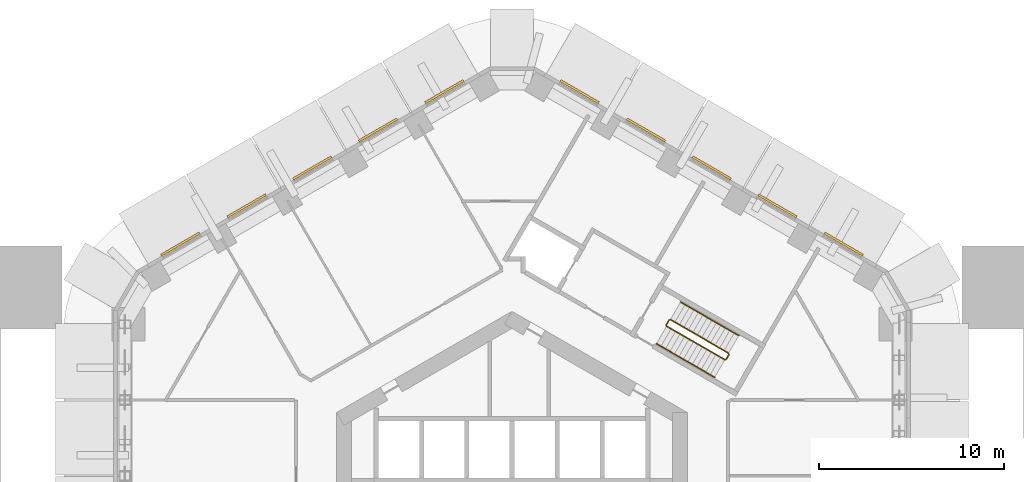
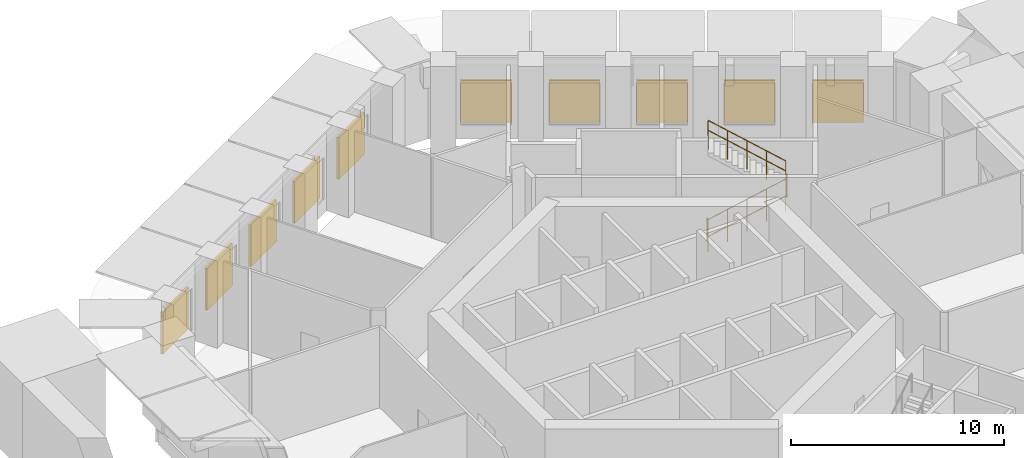
# One storey, part 10 of 10: 10 shading devices, 8 railings.
"""IFC4 building model written with IfcOpenShell, lengths in metres."""

import ifcopenshell
import ifcopenshell.guid

model = None  # the IFC model being written
_history = None  # IfcOwnerHistory: only IFC2X3 demands one
_inside = {}  # id of a spatial element -> (the spatial element, [elements in it])
_under = {}  # id of a project, library or spatial element -> (it, [spatial elements below it])
_declared = {}  # id of a project -> (the project, [libraries it declares])
_typed = {}  # id of a type object -> (the type object, [elements of that type])
_made_of = {}  # id of a material, layer set ... -> (it, [elements and type objects made of it])


def new_model(schema):
    """Start an empty IFC model of exactly this schema.

    Asked for "IFC4X3", IfcOpenShell would pick the latest addendum, in which some entities
    have other attributes; the version numbers below select the first issue.
    IFC2X3 requires an IfcOwnerHistory on every rooted entity: one is made here for all.
    """
    global model, _history
    if schema == "IFC4X3":
        model = ifcopenshell.file(schema_version=(4, 3, 0, 0))
    else:
        model = ifcopenshell.file(schema=schema)
    _inside.clear()
    _under.clear()
    _declared.clear()
    _typed.clear()
    _made_of.clear()
    _history = None
    if model.schema == "IFC2X3":
        org = make("IfcOrganization", Name="unknown")
        user = make(
            "IfcPersonAndOrganization",
            ThePerson=make("IfcPerson", FamilyName="unknown"),
            TheOrganization=org,
        )
        app = make(
            "IfcApplication",
            ApplicationDeveloper=org,
            Version="unknown",
            ApplicationFullName="unknown",
            ApplicationIdentifier="unknown",
        )
        _history = make(
            "IfcOwnerHistory",
            OwningUser=user,
            OwningApplication=app,
            ChangeAction="ADDED",
            CreationDate=0,
        )
    return model


def make(cls, **values):
    """One entity of the class cls with the attributes given. An attribute that is None is left unset."""
    return model.create_entity(
        cls, **{name: value for name, value in values.items() if value is not None}
    )


def rooted(cls, **values):
    """An entity with a GlobalId (a new one), such as an element, a storey or a relation."""
    return make(cls, GlobalId=ifcopenshell.guid.new(), OwnerHistory=_history, **values)


def si_unit(unit_type, name, prefix=None):
    """IfcSIUnit, for example si_unit("LENGTHUNIT", "METRE", prefix="MILLI")."""
    return make("IfcSIUnit", UnitType=unit_type, Prefix=prefix, Name=name)


def assignment(units):
    """IfcUnitAssignment: the units of a project."""
    return None if units is None else make("IfcUnitAssignment", Units=units)


def point(xyz):
    """IfcCartesianPoint."""
    return None if xyz is None else make("IfcCartesianPoint", Coordinates=xyz)


def direction(xyz):
    """IfcDirection."""
    return None if xyz is None else make("IfcDirection", DirectionRatios=xyz)


def frame(location, z_axis=None, x_axis=None):
    """IfcAxis2Placement3D, a coordinate frame: its origin and axes. An axis left out is left unset."""
    return make(
        "IfcAxis2Placement3D",
        Location=point(location),
        Axis=direction(z_axis),
        RefDirection=direction(x_axis),
    )


def frame_2d(location, x_axis=None):
    """IfcAxis2Placement2D, a coordinate frame in the plane: its origin and x axis."""
    return make(
        "IfcAxis2Placement2D", Location=point(location), RefDirection=direction(x_axis)
    )


def origin():
    """The frame at (0, 0, 0) with its axes left unset."""
    return frame((0.0, 0.0, 0.0))


def origin_2d():
    """The frame at (0, 0) in the plane with its x axis left unset."""
    return frame_2d((0.0, 0.0))


def place(relative_to, where):
    """IfcLocalPlacement: puts the frame where relative to a parent placement (None: the world)."""
    return make(
        "IfcLocalPlacement", PlacementRelTo=relative_to, RelativePlacement=where
    )


def context(
    kind, dimensions, precision=None, world=None, true_north=None, identifier=None
):
    """IfcGeometricRepresentationContext, for example the 3D "Model" context."""
    return make(
        "IfcGeometricRepresentationContext",
        ContextIdentifier=identifier,
        ContextType=kind,
        CoordinateSpaceDimension=dimensions,
        Precision=precision,
        WorldCoordinateSystem=world,
        TrueNorth=true_north,
    )


def subcontext(parent, identifier, kind, view, scale=None):
    """IfcGeometricRepresentationSubContext, for example "Body" below "Model"."""
    return make(
        "IfcGeometricRepresentationSubContext",
        ContextIdentifier=identifier,
        ContextType=kind,
        ParentContext=parent,
        TargetScale=scale,
        TargetView=view,
    )


def project(units=None, contexts=None):
    """IfcProject with its units and contexts."""
    return rooted(
        "IfcProject",
        Name="project",
        RepresentationContexts=contexts,
        UnitsInContext=assignment(units),
    )


def spatial(cls, under=None, at=None, **own):
    """A site, building, storey or space (cls), placed at a placement, below another one or the project."""
    s = rooted(cls, ObjectPlacement=at, **own)
    if under is not None:
        _under.setdefault(under.id(), (under, []))[1].append(s)
    return s


def profile(cls, at=None, kind="AREA", **sizes):
    """A parametric profile (cls). Its sizes go by their IFC names, for example OverallWidth=200.0."""
    return make(cls, ProfileType=kind, Position=at, **sizes)


def rectangle(**sizes):
    """IfcRectangleProfileDef."""
    return profile("IfcRectangleProfileDef", **sizes)


def circle(**sizes):
    """IfcCircleProfileDef."""
    return profile("IfcCircleProfileDef", **sizes)


def extrude(swept, where, along, depth):
    """IfcExtrudedAreaSolid: the profile swept, set in the frame where, extruded along a direction by depth."""
    return make(
        "IfcExtrudedAreaSolid",
        SweptArea=swept,
        Position=where,
        ExtrudedDirection=direction(along),
        Depth=depth,
    )


def shape(context_of_items, identifier, shape_type, items):
    """IfcShapeRepresentation: the items that make up one representation, for example the "Body"."""
    return make(
        "IfcShapeRepresentation",
        ContextOfItems=context_of_items,
        RepresentationIdentifier=identifier,
        RepresentationType=shape_type,
        Items=items,
    )


def material(Name=None, Category=None):
    """IfcMaterial."""
    return make("IfcMaterial", Name=Name, Category=Category)


def layer(
    of_material, thickness, ventilated=None, Name=None, Category=None, Priority=None
):
    """IfcMaterialLayer: one layer of a wall or slab, of a material (None: an air gap)."""
    return make(
        "IfcMaterialLayer",
        Material=of_material,
        LayerThickness=thickness,
        IsVentilated=ventilated,
        Name=Name,
        Category=Category,
        Priority=Priority,
    )


def layer_set(layers, Name=None):
    """IfcMaterialLayerSet."""
    return make("IfcMaterialLayerSet", MaterialLayers=layers, LayerSetName=Name)


def made_of(thing, what):
    """Note that an element or type object is made of a material, layer set ...; save() writes the relation."""
    if what is not None:
        _made_of.setdefault(what.id(), (what, []))[1].append(thing)
    return thing


def type_object(cls, material=None, **own):
    """A type object (cls), such as IfcWallType, which elements share."""
    return made_of(rooted(cls, **own), material)


def element(
    cls,
    number,
    at=None,
    inside=None,
    cuts=None,
    type_object=None,
    material=None,
    context=None,
    identifier="Body",
    shape_type=None,
    held_by="IfcProductDefinitionShape",
    body=None,
    shapes=None,
    **own,
):
    """One element of the class cls, such as IfcWall. Its Tag is "e" and its number.

    at: its placement. inside: the storey or other place that contains it. cuts: it is an
    opening in that element (IfcRelVoidsElement). A single representation is given by context,
    identifier, shape_type and body (its items); several are given by shapes. held_by: the class
    of the entity that holds the representations. save() writes the other relations.
    """
    e = rooted(cls, Tag="e%d" % number, ObjectPlacement=at, **own)
    if body is not None:
        shapes = [shape(context, identifier, shape_type, body)]
    if shapes is not None:
        e.Representation = make(held_by, Representations=shapes)
    if inside is not None:
        _inside.setdefault(inside.id(), (inside, []))[1].append(e)
    if cuts is not None:
        rooted(
            "IfcRelVoidsElement", RelatingBuildingElement=cuts, RelatedOpeningElement=e
        )
    if type_object is not None:
        _typed.setdefault(type_object.id(), (type_object, []))[1].append(e)
    return made_of(e, material)


def aggregate(whole, parts):
    """IfcRelAggregates: a whole, such as a stair, and the parts it consists of."""
    return rooted("IfcRelAggregates", RelatingObject=whole, RelatedObjects=parts)


def save(model, path):
    """Write the relations noted so far, then the file.

    IfcRelAggregates (storeys below a building ...), IfcRelContainedInSpatialStructure (elements
    in a storey), IfcRelDefinesByType, IfcRelAssociatesMaterial and IfcRelDeclares: one each for
    every whole, place, type object, material and project.
    """
    for whole, parts in _under.values():
        aggregate(whole, parts)
    for where, things in _inside.values():
        rooted(
            "IfcRelContainedInSpatialStructure",
            RelatedElements=things,
            RelatingStructure=where,
        )
    for kind, things in _typed.values():
        rooted("IfcRelDefinesByType", RelatedObjects=things, RelatingType=kind)
    for what, things in _made_of.values():
        rooted("IfcRelAssociatesMaterial", RelatedObjects=things, RelatingMaterial=what)
    for by, libraries in _declared.values():
        rooted("IfcRelDeclares", RelatingContext=by, RelatedDefinitions=libraries)
    model.write(path)


model = new_model("IFC4")

# Units and contexts
model_context = context("Model", 3, precision=1e-05, world=origin(), true_north=direction((0.0, 1.0)))
body_context = subcontext(model_context, "Body", "Model", "MODEL_VIEW")
ifc_project = project(units=[si_unit("LENGTHUNIT", "METRE"), si_unit("AREAUNIT", "SQUARE_METRE"), si_unit("VOLUMEUNIT", "CUBIC_METRE"), si_unit("PLANEANGLEUNIT", "RADIAN"), si_unit("MASSUNIT", "GRAM", prefix="KILO")], contexts=[model_context])

# Site, building, storey
site_placement = place(None, origin())
site = spatial("IfcSite", under=ifc_project, at=site_placement, CompositionType="ELEMENT")
building_placement = place(site_placement, origin())
building = spatial("IfcBuilding", under=site, at=building_placement, Name="Ayvan Gate Tower", CompositionType="ELEMENT")
storey_placement = place(building_placement, frame((0.0, 0.0, 20.5)))
storey = spatial("IfcBuildingStorey", under=building, at=storey_placement, Name="L04", CompositionType="ELEMENT", Elevation=20.5)

# Shading devices
ifc_material_1 = material(Name="Anodised aluminium louvre", Category="aluminium")
ifc_layer = layer(ifc_material_1, 0.1201171875)
ifc_layer_set = layer_set([ifc_layer], Name="Anodised aluminium louvre")
shading_device_type = type_object("IfcShadingDeviceType", Name="Plant louvre 2400 x 2400", PredefinedType="USERDEFINED", material=ifc_layer_set)
for number, where, z_axis, x_axis, name in (
    (1, (-3.66845703125, 22.875, 0.800048828125), (0.0, 0.0, 1.0), (-0.866025403784, -0.5, 0.0), "Plant louvre L04.0.0"),
    (2, (-7.265380859375, 20.79833984375, 0.800048828125), (0.0, 0.0, 1.0), (-0.866025403784, -0.5, 0.0), "Plant louvre L04.0.1"),
    (3, (-10.82275390625, 18.74462890625, 0.800048828125), (0.0, 0.0, 1.0), (-0.866025403784, -0.5, 0.0), "Plant louvre L04.0.2"),
    (4, (-14.37939453125, 16.691162109375, 0.800048828125), (0.0, 0.0, 1.0), (-0.866025403784, -0.5, 0.0), "Plant louvre L04.0.3"),
    (5, (-17.97607421875, 14.614501953125, 0.800048828125), (0.0, 0.0, 1.0), (-0.866025403784, -0.5, 0.0), "Plant louvre L04.0.4"),
    (6, (17.976318359375, 14.614501953125, 0.800048828125), (0.0, 0.0, 1.0), (-0.866025403784, 0.5, 0.0), "Plant louvre L04.10.0"),
    (7, (14.379150390625, 16.691162109375, 0.800048828125), (0.0, 0.0, 1.0), (-0.866025403784, 0.5, 0.0), "Plant louvre L04.10.1"),
    (8, (10.822021484375, 18.744873046875, 0.800048828125), (0.0, 0.0, 1.0), (-0.866025403784, 0.5, 0.0), "Plant louvre L04.10.2"),
    (9, (7.26513671875, 20.798583984375, 0.800048828125), (0.0, 0.0, 1.0), (-0.866025403784, 0.5, 0.0), "Plant louvre L04.10.3"),
    (10, (3.66845703125, 22.875, 0.800048828125), (0.0, 0.0, 1.0), (-0.866025403784, 0.5, 0.0), "Plant louvre L04.10.4"),
):
    element("IfcShadingDevice", number, at=place(storey_placement, frame(where, z_axis=z_axis, x_axis=x_axis)), inside=storey, type_object=shading_device_type, Name=name, ObjectType="LOUVRE", PredefinedType="USERDEFINED", context=body_context, shape_type="SweptSolid", body=[
        extrude(rectangle(XDim=2.39990234375, YDim=0.1201171875, at=origin_2d()), origin(), (0.0, 0.0, 1.0), 2.39990234375),
    ])

# Railings
ifc_material_2 = material(Name="Stainless steel balustrade", Category="steel")
railing_type_1 = type_object("IfcRailingType", Name="RL-GUARD-1100", PredefinedType="GUARDRAIL", material=ifc_material_2)
railing_1_placement = place(storey_placement, frame((8.381103515625, 10.16650390625, 0.178466796875)))
element("IfcRailing", 11, at=railing_1_placement, inside=storey, type_object=railing_type_1, Name="L04 STS1 stair guard 1", PredefinedType="GUARDRAIL", context=body_context, shape_type="SweptSolid", body=[
    extrude(circle(Radius=0.02392578125, at=origin_2d()), frame((0.0, 0.0, 1.076171875), z_axis=(0.730158560966, -0.421571566915, 0.537722874553), x_axis=(0.500012742938, 0.866018046521, 0.0)), (0.0, 0.0, 1.0), 4.3173828125),
    extrude(circle(Radius=0.02099609375, at=origin_2d()), origin(), (0.0, 0.0, 1.0), 1.052001953125),
    extrude(circle(Radius=0.02099609375, at=origin_2d()), frame((0.7880859375, -0.455078125, 0.580322265625)), (0.0, 0.0, 1.0), 1.052001953125),
    extrude(circle(Radius=0.02099609375, at=origin_2d()), frame((1.576171875, -0.91015625, 1.16064453125)), (0.0, 0.0, 1.0), 1.052001953125),
    extrude(circle(Radius=0.02099609375, at=origin_2d()), frame((2.3642578125, -1.364990234375, 1.7412109375)), (0.0, 0.0, 1.0), 1.052001953125),
    extrude(circle(Radius=0.02099609375, at=origin_2d()), frame((3.15234375, -1.820068359375, 2.321533203125)), (0.0, 0.0, 1.0), 1.052001953125),
])
railing_2_placement = place(storey_placement, frame((11.601806640625, 8.36474609375, 2.5)))
element("IfcRailing", 12, at=railing_2_placement, inside=storey, type_object=railing_type_1, Name="L04 STS1 stair guard 2", PredefinedType="GUARDRAIL", context=body_context, shape_type="SweptSolid", body=[
    extrude(circle(Radius=0.02392578125, at=origin_2d()), frame((0.0, 0.0, 1.076171875), z_axis=(0.499949632511, 0.866054481515, 0.0), x_axis=(-0.866054481515, 0.499949632511, 0.0)), (0.0, 0.0, 1.0), 0.31005859375),
    extrude(circle(Radius=0.02099609375, at=origin_2d()), origin(), (0.0, 0.0, 1.0), 1.052001953125),
    extrude(circle(Radius=0.02099609375, at=origin_2d()), frame((0.155029296875, 0.2685546875, 0.0)), (0.0, 0.0, 1.0), 1.052001953125),
])
railing_3_placement = place(storey_placement, frame((11.738525390625, 8.70166015625, 2.678466796875)))
element("IfcRailing", 13, at=railing_3_placement, inside=storey, type_object=railing_type_1, Name="L04 STS1 stair guard 3", PredefinedType="GUARDRAIL", context=body_context, shape_type="SweptSolid", body=[
    extrude(circle(Radius=0.02392578125, at=origin_2d()), frame((0.0, 0.0, 1.076171875), z_axis=(-0.730175966949, 0.421525066422, 0.537735693132), x_axis=(-0.499962438169, -0.866047089031, 0.0)), (0.0, 0.0, 1.0), 4.317138671875),
    extrude(circle(Radius=0.02099609375, at=origin_2d()), origin(), (0.0, 0.0, 1.0), 1.052001953125),
    extrude(circle(Radius=0.02099609375, at=origin_2d()), frame((-0.7880859375, 0.455078125, 0.580322265625)), (0.0, 0.0, 1.0), 1.052001953125),
    extrude(circle(Radius=0.02099609375, at=origin_2d()), frame((-1.576171875, 0.909912109375, 1.16064453125)), (0.0, 0.0, 1.0), 1.052001953125),
    extrude(circle(Radius=0.02099609375, at=origin_2d()), frame((-2.3642578125, 1.36474609375, 1.7412109375)), (0.0, 0.0, 1.0), 1.052001953125),
    extrude(circle(Radius=0.02099609375, at=origin_2d()), frame((-3.15234375, 1.81982421875, 2.321533203125)), (0.0, 0.0, 1.0), 1.052001953125),
])
railing_4_placement = place(storey_placement, frame((8.36279296875, 10.23486328125, 0.0)))
element("IfcRailing", 14, at=railing_4_placement, inside=storey, type_object=railing_type_1, Name="L04 STS1 stair guard 4", PredefinedType="GUARDRAIL", context=body_context, shape_type="SweptSolid", body=[
    extrude(circle(Radius=0.02392578125, at=origin_2d()), frame((0.0, 0.0, 1.076171875), z_axis=(0.500290723946, 0.86585748916, 0.0), x_axis=(-0.86585748916, 0.500290723946, 0.0)), (0.0, 0.0, 1.0), 0.309814453125),
    extrude(circle(Radius=0.02099609375, at=origin_2d()), origin(), (0.0, 0.0, 1.0), 1.052001953125),
    extrude(circle(Radius=0.02099609375, at=origin_2d()), frame((0.155029296875, 0.268310546875, 0.0)), (0.0, 0.0, 1.0), 1.052001953125),
])
railing_type_2 = type_object("IfcRailingType", Name="RL-HANDRAIL-900", PredefinedType="HANDRAIL", material=ifc_material_2)
railing_5_placement = place(storey_placement, frame((7.8310546875, 9.2138671875, 0.178466796875)))
element("IfcRailing", 15, at=railing_5_placement, inside=storey, type_object=railing_type_2, Name="L04 STS1 stair handrail 1", PredefinedType="HANDRAIL", context=body_context, shape_type="SweptSolid", body=[
    extrude(circle(Radius=0.02392578125, at=origin_2d()), frame((0.0, 0.0, 0.8759765625), z_axis=(0.730153762835, -0.421512248155, 0.537775889449), x_axis=(0.499962438169, 0.866047089031, 0.0)), (0.0, 0.0, 1.0), 2.15869140625),
    extrude(circle(Radius=0.02099609375, at=origin_2d()), origin(), (0.0, 0.0, 1.0), 0.851806640625),
    extrude(circle(Radius=0.02099609375, at=origin_2d()), frame((0.7880859375, -0.455078125, 0.58056640625)), (0.0, 0.0, 1.0), 0.851806640625),
    extrude(circle(Radius=0.02099609375, at=origin_2d()), frame((1.576171875, -0.909912109375, 1.160888671875)), (0.0, 0.0, 1.0), 0.851806640625),
])
railing_6_placement = place(storey_placement, frame((9.4072265625, 8.303955078125, 1.33935546875)))
element("IfcRailing", 16, at=railing_6_placement, inside=storey, type_object=railing_type_2, Name="L04 STS1 stair handrail 2", PredefinedType="HANDRAIL", context=body_context, shape_type="SweptSolid", body=[
    extrude(circle(Radius=0.02392578125, at=origin_2d()), frame((0.0, 0.0, 0.8759765625), z_axis=(0.730163354521, -0.421630883776, 0.537669855544), x_axis=(0.500063042646, 0.865989003036, 0.0)), (0.0, 0.0, 1.0), 2.15869140625),
    extrude(circle(Radius=0.02099609375, at=origin_2d()), origin(), (0.0, 0.0, 1.0), 0.851806640625),
    extrude(circle(Radius=0.02099609375, at=origin_2d()), frame((0.7880859375, -0.455078125, 0.580322265625)), (0.0, 0.0, 1.0), 0.851806640625),
    extrude(circle(Radius=0.02099609375, at=origin_2d()), frame((1.576171875, -0.91015625, 1.16064453125)), (0.0, 0.0, 1.0), 0.851806640625),
])
railing_7_placement = place(storey_placement, frame((12.288330078125, 9.654296875, 2.678466796875)))
element("IfcRailing", 17, at=railing_7_placement, inside=storey, type_object=railing_type_2, Name="L04 STS1 stair handrail 3", PredefinedType="HANDRAIL", context=body_context, shape_type="SweptSolid", body=[
    extrude(circle(Radius=0.02392578125, at=origin_2d()), frame((0.0, 0.0, 0.8759765625), z_axis=(-0.730153762835, 0.421512248155, 0.537775889449), x_axis=(-0.499962438169, -0.866047089031, 0.0)), (0.0, 0.0, 1.0), 2.15869140625),
    extrude(circle(Radius=0.02099609375, at=origin_2d()), origin(), (0.0, 0.0, 1.0), 0.851806640625),
    extrude(circle(Radius=0.02099609375, at=origin_2d()), frame((-0.7880859375, 0.455078125, 0.58056640625)), (0.0, 0.0, 1.0), 0.851806640625),
    extrude(circle(Radius=0.02099609375, at=origin_2d()), frame((-1.576171875, 0.909912109375, 1.160888671875)), (0.0, 0.0, 1.0), 0.851806640625),
])
railing_8_placement = place(storey_placement, frame((10.712158203125, 10.564208984375, 3.83935546875)))
element("IfcRailing", 18, at=railing_8_placement, inside=storey, type_object=railing_type_2, Name="L04 STS1 stair handrail 4", PredefinedType="HANDRAIL", context=body_context, shape_type="SweptSolid", body=[
    extrude(circle(Radius=0.02392578125, at=origin_2d()), frame((0.0, 0.0, 0.8759765625), z_axis=(-0.730198170753, 0.42153788451, 0.537695493148), x_axis=(-0.499962438169, -0.866047089031, 0.0)), (0.0, 0.0, 1.0), 2.158447265625),
    extrude(circle(Radius=0.02099609375, at=origin_2d()), origin(), (0.0, 0.0, 1.0), 0.851806640625),
    extrude(circle(Radius=0.02099609375, at=origin_2d()), frame((-0.7880859375, 0.455078125, 0.580322265625)), (0.0, 0.0, 1.0), 0.851806640625),
    extrude(circle(Radius=0.02099609375, at=origin_2d()), frame((-1.576171875, 0.909912109375, 1.16064453125)), (0.0, 0.0, 1.0), 0.851806640625),
])

save(model, "model.ifc")
